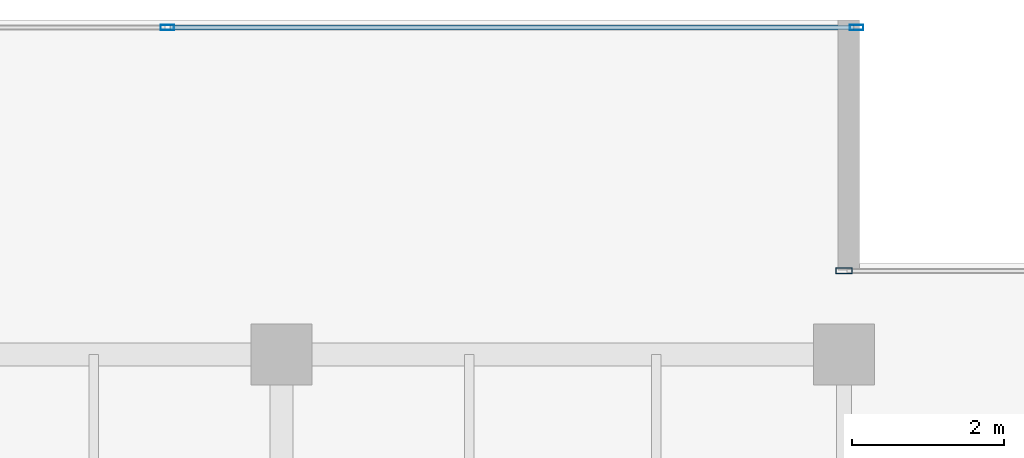
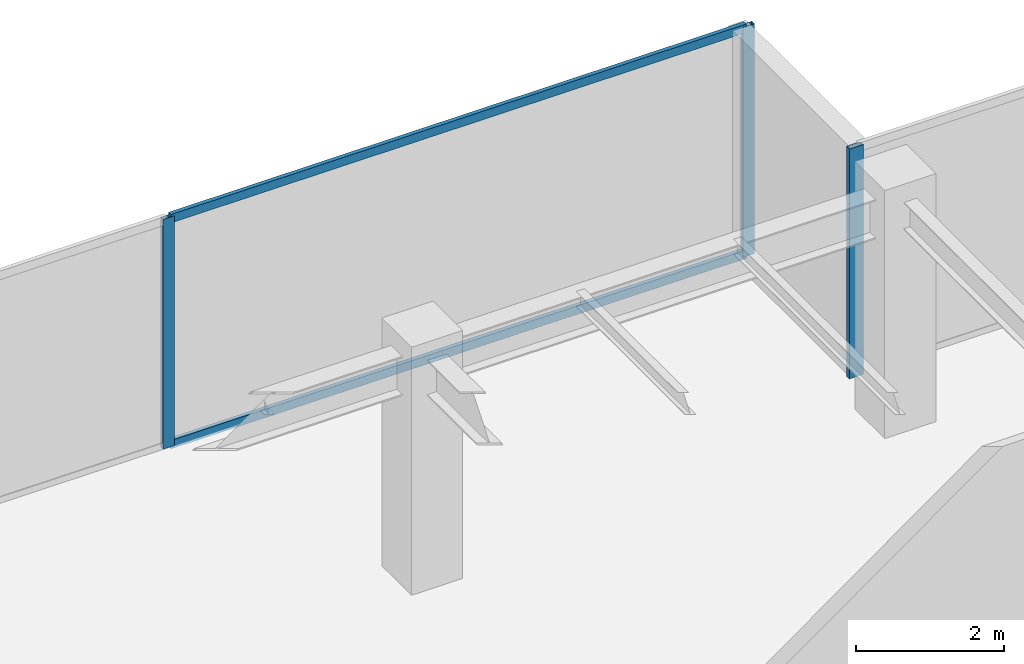
# One storey, part 21 of 33: 5 members, 2 elements without a shape of their own.
"""IFC4 building model written with IfcOpenShell, lengths in metres."""

from ifc_helpers import new_model, si_unit, direction, frame, origin, origin_2d, place, context, subcontext, project, spatial, hollow_rectangle, extrude, source, transform, mapped, material, layer, layer_set, material_profile, profile_set, type_object, type_shapes, element, aggregate, save


model = new_model("IFC4")

# Units and contexts
model_context = context("Model", 3, precision=1e-05, world=origin(), true_north=direction((0.0, 1.0)))
body_context = subcontext(model_context, "Body", "Model", "MODEL_VIEW")
ifc_project = project(units=[si_unit("LENGTHUNIT", "METRE"), si_unit("AREAUNIT", "SQUARE_METRE"), si_unit("VOLUMEUNIT", "CUBIC_METRE"), si_unit("PLANEANGLEUNIT", "RADIAN"), si_unit("MASSUNIT", "GRAM", prefix="KILO")], contexts=[model_context])

# Site, building, storey
site_placement = place(None, origin())
site = spatial("IfcSite", under=ifc_project, at=site_placement, CompositionType="ELEMENT")
building_placement = place(site_placement, origin())
building = spatial("IfcBuilding", under=site, at=building_placement, Name="Haelvirn Gate Laboratories", CompositionType="ELEMENT")
storey_placement = place(building_placement, frame((0.0, 0.0, 250.60009765625)))
storey = spatial("IfcBuildingStorey", under=building, at=storey_placement, Name="L60", CompositionType="ELEMENT", Elevation=250.60009765625)

# Curtain wall, members
ifc_material_1 = material(Name="Anodised bronze unitised aluminium & triple low-E glass", Category="aluminium")
ifc_layer_1 = layer(ifc_material_1, 0.176025390625, Name="CW-SYS-4")
ifc_layer_set_1 = layer_set([ifc_layer_1], Name="Anodised bronze unitised aluminium & triple low-E glass")
curtain_wall_type_1 = type_object("IfcCurtainWallType", Name="CW-SYS-4", PredefinedType="NOTDEFINED", material=ifc_layer_set_1)
curtain_wall_1_placement = place(storey_placement, origin())
curtain_wall_1 = element("IfcCurtainWall", 1, at=curtain_wall_1_placement, inside=storey, type_object=curtain_wall_type_1, Name="L60 Unitised Curtain Wall CW-L60-P0-E10-1", PredefinedType="NOTDEFINED")
ifc_material_2 = material(Name="Extruded aluminium 6063-T6 (anodised bronze)", Category="aluminium")
ifc_material_profile_1 = material_profile(ifc_material_2, hollow_rectangle(XDim=0.06494140625, YDim=0.139892578125, WallThickness=0.00390625, at=origin_2d()), Name="CWT-140x65x4")
ifc_profile_set_1 = profile_set([ifc_material_profile_1], Name="Extruded aluminium 6063-T6 (anodised bronze)")
member_type_1 = type_object("IfcMemberType", Name="CWT-T140", PredefinedType="USERDEFINED", material=ifc_profile_set_1)
shared_shape_1 = source(origin(), body_context, "Body", "SweptSolid", [
    extrude(hollow_rectangle(XDim=0.06494140625, YDim=0.139892578125, WallThickness=0.00390625, at=origin_2d()), origin(), (0.0, 0.0, 1.0), 8.9951171875),
])
type_shapes(member_type_1, [shared_shape_1])
member_1_placement = place(storey_placement, frame((58.534912109375, 45.89990234375, 0.032470703125), z_axis=(1.0, 0.0, 0.0), x_axis=(0.0, 1.0, 0.0)))
member_1 = element("IfcMember", 2, at=member_1_placement, type_object=member_type_1, Name="CW4 transom 2.1", ObjectType="TRANSOM", PredefinedType="USERDEFINED", context=body_context, shape_type="MappedRepresentation", body=[
    mapped(shared_shape_1, transform((0.0, 0.0, 0.0), scale=1.0)),
])
member_2_placement = place(storey_placement, frame((58.534912109375, 45.89990234375, 3.767333984375), z_axis=(1.0, 0.0, 0.0), x_axis=(0.0, 1.0, 0.0)))
member_2 = element("IfcMember", 3, at=member_2_placement, type_object=member_type_1, Name="CW4 transom 2.2", ObjectType="TRANSOM", PredefinedType="USERDEFINED", context=body_context, shape_type="MappedRepresentation", body=[
    mapped(shared_shape_1, transform((0.0, 0.0, 0.0), scale=1.0)),
])
ifc_material_profile_2 = material_profile(ifc_material_2, hollow_rectangle(XDim=0.070068359375, YDim=0.179931640625, WallThickness=0.0048828125, at=origin_2d()), Name="CWM-180x70x5")
ifc_profile_set_2 = profile_set([ifc_material_profile_2], Name="Extruded aluminium 6063-T6 (anodised bronze)")
member_type_2 = type_object("IfcMemberType", Name="CWM-T180", PredefinedType="MULLION", material=ifc_profile_set_2)
shared_shape_2 = source(origin(), body_context, "Body", "SweptSolid", [
    extrude(hollow_rectangle(XDim=0.070068359375, YDim=0.179931640625, WallThickness=0.0048828125, at=origin_2d()), origin(), (0.0, 0.0, 1.0), 3.7998046875),
])
type_shapes(member_type_2, [shared_shape_2])
member_3_placement = place(storey_placement, frame((58.5, 45.89990234375, 0.0), z_axis=(0.0, 0.0, 1.0), x_axis=(0.0, 1.0, 0.0)))
member_3 = element("IfcMember", 4, at=member_3_placement, type_object=member_type_2, Name="CW4 mullion 2", PredefinedType="MULLION", context=body_context, shape_type="MappedRepresentation", body=[
    mapped(shared_shape_2, transform((0.0, 0.0, 0.0), scale=1.0)),
])
member_4_placement = place(storey_placement, frame((67.56494140625, 45.89990234375, 0.0), z_axis=(0.0, 0.0, 1.0), x_axis=(0.0, 1.0, 0.0)))
member_4 = element("IfcMember", 5, at=member_4_placement, type_object=member_type_2, Name="CW4 mullion 3", PredefinedType="MULLION", context=body_context, shape_type="MappedRepresentation", body=[
    mapped(shared_shape_2, transform((0.0, 0.0, 0.0), scale=1.0)),
])
aggregate(curtain_wall_1, [member_3, member_4, member_1, member_2])

# Curtain wall, member
ifc_layer_2 = layer(ifc_material_1, 0.181884765625, Name="CW-SYS-5")
ifc_layer_set_2 = layer_set([ifc_layer_2], Name="Anodised bronze unitised aluminium & triple low-E glass")
curtain_wall_type_2 = type_object("IfcCurtainWallType", Name="CW-SYS-5", PredefinedType="NOTDEFINED", material=ifc_layer_set_2)
curtain_wall_2_placement = place(storey_placement, origin())
curtain_wall_2 = element("IfcCurtainWall", 6, at=curtain_wall_2_placement, inside=storey, type_object=curtain_wall_type_2, Name="L60 Unitised Curtain Wall CW-L60-P0-E08-1", PredefinedType="NOTDEFINED")
ifc_material_profile_3 = material_profile(ifc_material_2, hollow_rectangle(XDim=0.080078125, YDim=0.219970703125, WallThickness=0.006103515625, at=origin_2d()), Name="CWM-220x80x6")
ifc_profile_set_3 = profile_set([ifc_material_profile_3], Name="Extruded aluminium 6063-T6 (anodised bronze)")
member_type_3 = type_object("IfcMemberType", Name="CWM-T220", PredefinedType="MULLION", material=ifc_profile_set_3)
shared_shape_3 = source(origin(), body_context, "Body", "SweptSolid", [
    extrude(hollow_rectangle(XDim=0.080078125, YDim=0.219970703125, WallThickness=0.006103515625, at=origin_2d()), origin(), (0.0, 0.0, 1.0), 3.7998046875),
])
type_shapes(member_type_3, [shared_shape_3])
member_5_placement = place(storey_placement, frame((67.39990234375, 42.699951171875, 0.0), z_axis=(0.0, 0.0, 1.0), x_axis=(0.0, 1.0, 0.0)))
member_5 = element("IfcMember", 7, at=member_5_placement, type_object=member_type_3, Name="CW5 mullion 1", PredefinedType="MULLION", context=body_context, shape_type="MappedRepresentation", body=[
    mapped(shared_shape_3, transform((0.0, 0.0, 0.0), scale=1.0)),
])
aggregate(curtain_wall_2, [member_5])

save(model, "model.ifc")
